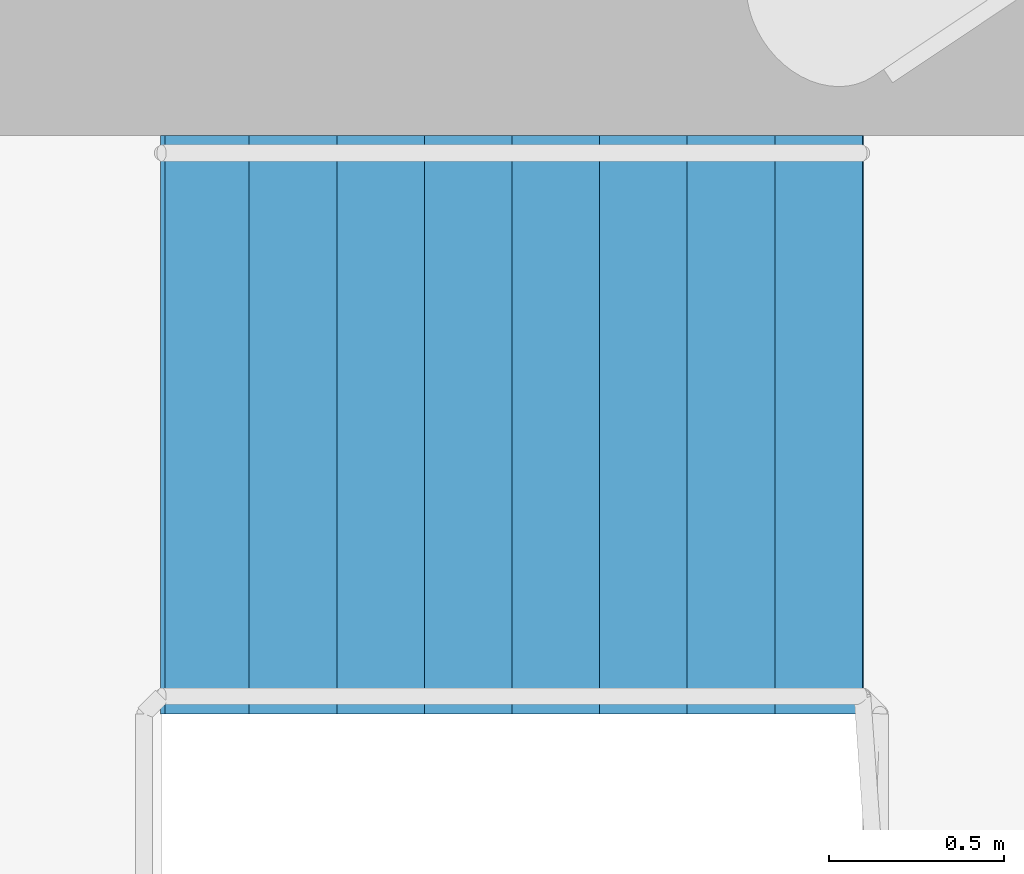
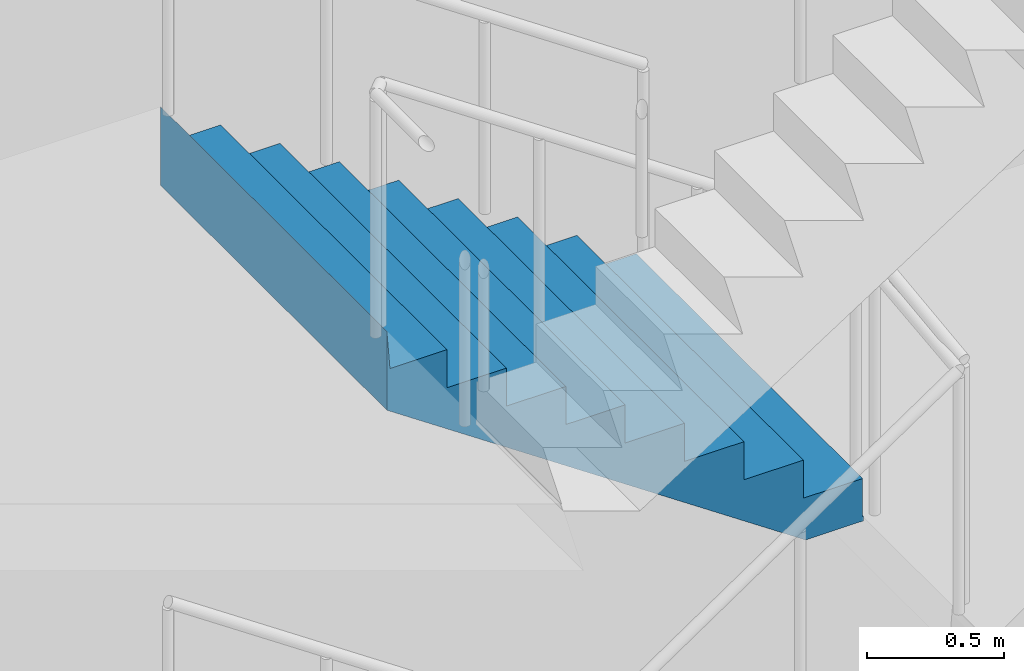
# One storey, part 19 of 24: 1 stair flight, 1 element without a shape of its own.
"""IFC4 building model written with IfcOpenShell, lengths in metres."""

from ifc_helpers import new_model, si_unit, direction, frame, origin, place, context, subcontext, project, spatial, triangles, material, type_object, element, aggregate, save


model = new_model("IFC4")

# Units and contexts
model_context = context("Model", 3, precision=1e-05, world=origin(), true_north=direction((0.0, 1.0)))
body_context = subcontext(model_context, "Body", "Model", "MODEL_VIEW")
ifc_project = project(units=[si_unit("LENGTHUNIT", "METRE"), si_unit("AREAUNIT", "SQUARE_METRE"), si_unit("VOLUMEUNIT", "CUBIC_METRE"), si_unit("PLANEANGLEUNIT", "RADIAN"), si_unit("MASSUNIT", "GRAM", prefix="KILO")], contexts=[model_context])

# Site, building, storey
site_placement = place(None, origin())
site = spatial("IfcSite", under=ifc_project, at=site_placement, CompositionType="ELEMENT")
building_placement = place(site_placement, origin())
building = spatial("IfcBuilding", under=site, at=building_placement, Name="Maasbend Ring Residences", CompositionType="ELEMENT")
storey_placement = place(building_placement, frame((0.0, 0.0, 179.89990234375)))
storey = spatial("IfcBuildingStorey", under=building, at=storey_placement, Name="L52", CompositionType="ELEMENT", Elevation=179.89990234375)

# Stair, stair flight
ifc_material_1 = material(Name="Concrete C40/50", Category="concrete")
stair_type = type_object("IfcStairType", Name="CORE STAIR 36 RISERS", PredefinedType="HALF_TURN_STAIR", material=ifc_material_1)
stair_placement = place(storey_placement, origin())
stair = element("IfcStair", 1, at=stair_placement, inside=storey, type_object=stair_type, Name="L52 Exit stair ST-E1", PredefinedType="HALF_TURN_STAIR")
ifc_material_2 = material(Name="Concrete C40/50", Category="concrete")
stair_flight_type = type_object("IfcStairFlightType", Name="CORE STAIR FLIGHT 1650", PredefinedType="STRAIGHT", material=ifc_material_2)
stair_flight_placement = place(storey_placement, frame((13.550048828125, 7.77490234375, 3.050048828125), z_axis=(0.0, 0.0, 1.0), x_axis=(-1.0, 0.0, 0.0)))
stair_flight = element("IfcStairFlight", 2, at=stair_flight_placement, type_object=stair_flight_type, Name="ST-E1 flight 3", NumberOfRisers=9, NumberOfTreads=8, PredefinedType="STRAIGHT", RiserHeight=0.169444444, TreadLength=0.25, context=body_context, shape_type="Tessellation", body=[
    triangles([(0.24072265625, 0.824951171875, -0.02001953125), (2.0029296875, 0.824951171875, 1.174560546875), (2.0029296875, 0.824951171875, 1.52490234375), (1.989990234375, 0.824951171875, 1.35546875), (1.75, 0.824951171875, 1.35546875), (1.75, 0.824951171875, 1.18603515625), (1.5, 0.824951171875, 1.18603515625), (1.5, 0.824951171875, 1.0166015625), (1.25, 0.824951171875, 1.0166015625), (1.25, 0.824951171875, 0.84716796875), (1.0, 0.824951171875, 0.84716796875), (1.0, 0.824951171875, 0.677734375), (0.75, 0.824951171875, 0.677734375), (0.75, 0.824951171875, 0.50830078125), (0.5, 0.824951171875, 0.50830078125), (0.5, 0.824951171875, 0.3388671875), (0.25, 0.824951171875, 0.3388671875), (0.25, 0.824951171875, 0.16943359375), (0.0, 0.824951171875, 0.16943359375), (0.0, 0.824951171875, 0.0), (-0.0029296875, 0.824951171875, 0.0), (-0.0029296875, 0.824951171875, -0.02001953125), (0.24072265625, 0.27490234375, -0.02001953125), (2.0029296875, 0.27490234375, 1.174560546875), (2.0029296875, 0.27490234375, 1.52490234375), (1.989990234375, 0.27490234375, 1.35546875), (1.75, 0.27490234375, 1.35546875), (1.75, 0.27490234375, 1.18603515625), (1.5, 0.27490234375, 1.18603515625), (1.5, 0.27490234375, 1.0166015625), (1.25, 0.27490234375, 1.0166015625), (1.25, 0.27490234375, 0.84716796875), (1.0, 0.27490234375, 0.84716796875), (1.0, 0.27490234375, 0.677734375), (0.75, 0.27490234375, 0.677734375), (0.75, 0.27490234375, 0.50830078125), (0.5, 0.27490234375, 0.50830078125), (0.5, 0.27490234375, 0.3388671875), (0.25, 0.27490234375, 0.3388671875), (0.25, 0.27490234375, 0.16943359375), (0.0, 0.27490234375, 0.16943359375), (0.0, 0.27490234375, 0.0), (-0.0029296875, 0.27490234375, 0.0), (-0.0029296875, 0.27490234375, -0.02001953125), (0.24072265625, -0.27490234375, -0.02001953125), (2.0029296875, -0.27490234375, 1.174560546875), (2.0029296875, -0.27490234375, 1.52490234375), (1.989990234375, -0.27490234375, 1.35546875), (1.75, -0.27490234375, 1.35546875), (1.75, -0.27490234375, 1.18603515625), (1.5, -0.27490234375, 1.18603515625), (1.5, -0.27490234375, 1.0166015625), (1.25, -0.27490234375, 1.0166015625), (1.25, -0.27490234375, 0.84716796875), (1.0, -0.27490234375, 0.84716796875), (1.0, -0.27490234375, 0.677734375), (0.75, -0.27490234375, 0.677734375), (0.75, -0.27490234375, 0.50830078125), (0.5, -0.27490234375, 0.50830078125), (0.5, -0.27490234375, 0.3388671875), (0.25, -0.27490234375, 0.3388671875), (0.25, -0.27490234375, 0.16943359375), (0.0, -0.27490234375, 0.16943359375), (0.0, -0.27490234375, 0.0), (-0.0029296875, -0.27490234375, 0.0), (-0.0029296875, -0.27490234375, -0.02001953125), (0.24072265625, -0.824951171875, -0.02001953125), (2.0029296875, -0.824951171875, 1.174560546875), (2.0029296875, -0.824951171875, 1.52490234375), (1.989990234375, -0.824951171875, 1.35546875), (1.75, -0.824951171875, 1.35546875), (1.75, -0.824951171875, 1.18603515625), (1.5, -0.824951171875, 1.18603515625), (1.5, -0.824951171875, 1.0166015625), (1.25, -0.824951171875, 1.0166015625), (1.25, -0.824951171875, 0.84716796875), (1.0, -0.824951171875, 0.84716796875), (1.0, -0.824951171875, 0.677734375), (0.75, -0.824951171875, 0.677734375), (0.75, -0.824951171875, 0.50830078125), (0.5, -0.824951171875, 0.50830078125), (0.5, -0.824951171875, 0.3388671875), (0.25, -0.824951171875, 0.3388671875), (0.25, -0.824951171875, 0.16943359375), (0.0, -0.824951171875, 0.16943359375), (0.0, -0.824951171875, 0.0), (-0.0029296875, -0.824951171875, 0.0), (-0.0029296875, -0.824951171875, -0.02001953125)], [[1, 2, 24], [1, 24, 23], [23, 24, 46], [23, 46, 45], [45, 46, 68], [45, 68, 67], [2, 3, 25], [2, 25, 24], [24, 25, 47], [24, 47, 46], [46, 47, 69], [46, 69, 68], [3, 4, 26], [3, 26, 25], [25, 26, 48], [25, 48, 47], [47, 48, 70], [47, 70, 69], [4, 5, 27], [4, 27, 26], [26, 27, 49], [26, 49, 48], [48, 49, 71], [48, 71, 70], [5, 6, 28], [5, 28, 27], [27, 28, 50], [27, 50, 49], [49, 50, 72], [49, 72, 71], [6, 7, 29], [6, 29, 28], [28, 29, 51], [28, 51, 50], [50, 51, 73], [50, 73, 72], [7, 8, 30], [7, 30, 29], [29, 30, 52], [29, 52, 51], [51, 52, 74], [51, 74, 73], [8, 9, 31], [8, 31, 30], [30, 31, 53], [30, 53, 52], [52, 53, 75], [52, 75, 74], [9, 10, 32], [9, 32, 31], [31, 32, 54], [31, 54, 53], [53, 54, 76], [53, 76, 75], [10, 11, 33], [10, 33, 32], [32, 33, 55], [32, 55, 54], [54, 55, 77], [54, 77, 76], [11, 12, 34], [11, 34, 33], [33, 34, 56], [33, 56, 55], [55, 56, 78], [55, 78, 77], [12, 13, 35], [12, 35, 34], [34, 35, 57], [34, 57, 56], [56, 57, 79], [56, 79, 78], [13, 14, 36], [13, 36, 35], [35, 36, 58], [35, 58, 57], [57, 58, 80], [57, 80, 79], [14, 15, 37], [14, 37, 36], [36, 37, 59], [36, 59, 58], [58, 59, 81], [58, 81, 80], [15, 16, 38], [15, 38, 37], [37, 38, 60], [37, 60, 59], [59, 60, 82], [59, 82, 81], [16, 17, 39], [16, 39, 38], [38, 39, 61], [38, 61, 60], [60, 61, 83], [60, 83, 82], [17, 18, 40], [17, 40, 39], [39, 40, 62], [39, 62, 61], [61, 62, 84], [61, 84, 83], [18, 19, 41], [18, 41, 40], [40, 41, 63], [40, 63, 62], [62, 63, 85], [62, 85, 84], [19, 20, 42], [19, 42, 41], [41, 42, 64], [41, 64, 63], [63, 64, 86], [63, 86, 85], [20, 21, 43], [20, 43, 42], [42, 43, 65], [42, 65, 64], [64, 65, 87], [64, 87, 86], [21, 22, 44], [21, 44, 43], [43, 44, 66], [43, 66, 65], [65, 66, 88], [65, 88, 87], [22, 1, 23], [22, 23, 44], [44, 23, 45], [44, 45, 66], [66, 45, 67], [66, 67, 88], [22, 2, 1], [2, 4, 3], [2, 5, 4], [2, 6, 5], [22, 6, 2], [6, 8, 7], [22, 8, 6], [8, 10, 9], [22, 10, 8], [10, 12, 11], [22, 12, 10], [12, 14, 13], [22, 14, 12], [14, 16, 15], [22, 16, 14], [16, 18, 17], [22, 18, 16], [18, 20, 19], [22, 20, 18], [20, 22, 21], [88, 67, 68], [68, 69, 70], [68, 70, 71], [68, 71, 72], [88, 68, 72], [72, 73, 74], [88, 72, 74], [74, 75, 76], [88, 74, 76], [76, 77, 78], [88, 76, 78], [78, 79, 80], [88, 78, 80], [80, 81, 82], [88, 80, 82], [82, 83, 84], [88, 82, 84], [84, 85, 86], [88, 84, 86], [86, 87, 88]], closed=True),
])
aggregate(stair, [stair_flight])

save(model, "model.ifc")
